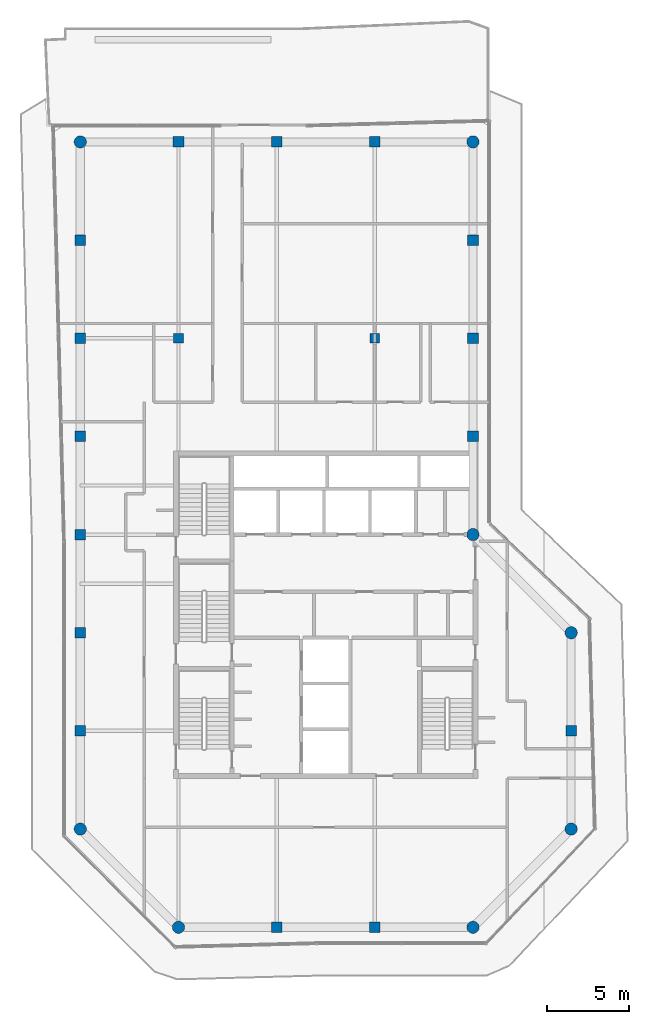
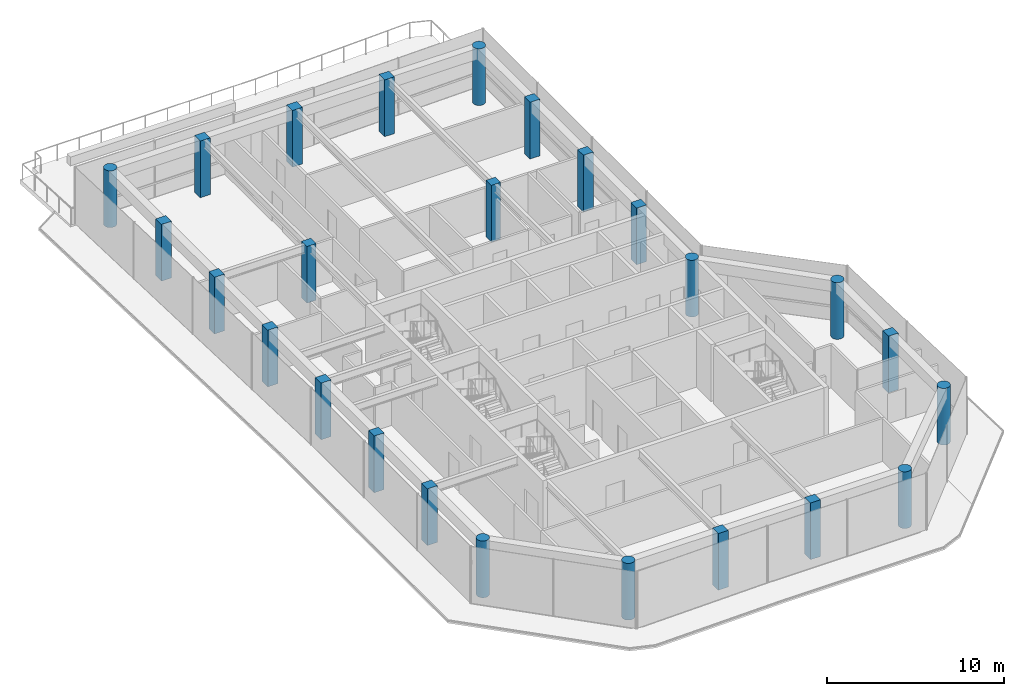
# One storey, part 1 of 20: 25 columns.
"""IFC4 building model written with IfcOpenShell, lengths in metres."""

from ifc_helpers import new_model, si_unit, direction, frame, origin, origin_2d, place, context, subcontext, project, spatial, rectangle, circle, extrude, material, material_profile, profile_set, type_object, element, save


model = new_model("IFC4")

# Units and contexts
model_context = context("Model", 3, precision=1e-05, world=origin(), true_north=direction((0.0, 1.0)))
body_context = subcontext(model_context, "Body", "Model", "MODEL_VIEW")
ifc_project = project(units=[si_unit("LENGTHUNIT", "METRE"), si_unit("AREAUNIT", "SQUARE_METRE"), si_unit("VOLUMEUNIT", "CUBIC_METRE"), si_unit("PLANEANGLEUNIT", "RADIAN"), si_unit("MASSUNIT", "GRAM", prefix="KILO")], contexts=[model_context])

# Site, building, storey
site_placement = place(None, origin())
site = spatial("IfcSite", under=ifc_project, at=site_placement, CompositionType="ELEMENT")
building_placement = place(site_placement, origin())
building = spatial("IfcBuilding", under=site, at=building_placement, Name="Welwitschia Terrace Campus", CompositionType="ELEMENT")
storey_placement = place(building_placement, frame((0.0, 0.0, 327.199951171875)))
storey = spatial("IfcBuildingStorey", under=building, at=storey_placement, Name="L73", CompositionType="ELEMENT", Elevation=327.199951171875)

# Columns
ifc_material_1 = material(Name="Concrete C40/50", Category="concrete")
ifc_material_profile_1 = material_profile(ifc_material_1, circle(Radius=0.375, at=origin_2d()))
ifc_profile_set_1 = profile_set([ifc_material_profile_1], Name="Concrete C40/50")
column_type_1 = type_object("IfcColumnType", Name="Corner column 750 dia", PredefinedType="COLUMN", material=ifc_profile_set_1)
for number, where, z_axis, x_axis, name in (
    (1, (0.0, 2.0, 0.0), (0.0, 0.0, 1.0), (1.0, 0.0, 0.0), "Column C44"),
    (2, (0.0, 44.0, 0.0), (0.0, 0.0, 1.0), (1.0, 0.0, 0.0), "Column C44"),
    (3, (6.0, -4.0, 0.0), (0.0, 0.0, 1.0), (1.0, 0.0, 0.0), "Column C44"),
    (4, (24.0, -4.0, 0.0), (0.0, 0.0, 1.0), (1.0, 0.0, 0.0), "Column C44"),
    (5, (24.0, 20.0, 0.0), (0.0, 0.0, 1.0), (1.0, 0.0, 0.0), "Column C44"),
    (6, (24.0, 44.0, 0.0), (0.0, 0.0, 1.0), (1.0, 0.0, 0.0), "Column C44"),
    (7, (30.0, 2.0, 0.0), (0.0, 0.0, 1.0), (1.0, 0.0, 0.0), "Column C44"),
    (8, (30.0, 14.0, 0.0), (0.0, 0.0, 1.0), (1.0, 0.0, 0.0), "Column C44"),
):
    element("IfcColumn", number, at=place(storey_placement, frame(where, z_axis=z_axis, x_axis=x_axis)), inside=storey, type_object=column_type_1, Name=name, PredefinedType="COLUMN", context=body_context, shape_type="SweptSolid", body=[
        extrude(circle(Radius=0.375, at=origin_2d()), origin(), (0.0, 0.0, 1.0), 3.900146484375),
    ])
ifc_material_2 = material(Name="Concrete C40/50", Category="concrete")
ifc_material_profile_2 = material_profile(ifc_material_2, rectangle(XDim=0.60009765625, YDim=0.60009765625, at=origin_2d()))
ifc_profile_set_2 = profile_set([ifc_material_profile_2], Name="Concrete C40/50")
column_type_2 = type_object("IfcColumnType", Name="Interior column 600x600", PredefinedType="COLUMN", material=ifc_profile_set_2)
for number, where, z_axis, x_axis, name in (
    (9, (6.0, 32.0, 0.0), (0.0, 0.0, 1.0), (1.0, 0.0, 0.0), "Column C46"),
    (10, (18.0, 32.0, 0.0), (0.0, 0.0, 1.0), (1.0, 0.0, 0.0), "Column C46"),
):
    element("IfcColumn", number, at=place(storey_placement, frame(where, z_axis=z_axis, x_axis=x_axis)), inside=storey, type_object=column_type_2, Name=name, PredefinedType="COLUMN", context=body_context, shape_type="SweptSolid", body=[
        extrude(rectangle(XDim=0.60009765625, YDim=0.60009765625, at=origin_2d()), origin(), (0.0, 0.0, 1.0), 3.900146484375),
    ])
ifc_material_3 = material(Name="Concrete C40/50", Category="concrete")
ifc_material_profile_3 = material_profile(ifc_material_3, rectangle(XDim=0.64990234375, YDim=0.64990234375, at=origin_2d()))
ifc_profile_set_3 = profile_set([ifc_material_profile_3], Name="Concrete C40/50")
column_type_3 = type_object("IfcColumnType", Name="Ring column 650x650", PredefinedType="COLUMN", material=ifc_profile_set_3)
for number, where, z_axis, x_axis, name in (
    (11, (0.0, 8.0, 0.0), (0.0, 0.0, 1.0), (1.0, 0.0, 0.0), "Column C45"),
    (12, (0.0, 14.0, 0.0), (0.0, 0.0, 1.0), (1.0, 0.0, 0.0), "Column C45"),
    (13, (0.0, 20.0, 0.0), (0.0, 0.0, 1.0), (1.0, 0.0, 0.0), "Column C45"),
    (14, (0.0, 26.0, 0.0), (0.0, 0.0, 1.0), (1.0, 0.0, 0.0), "Column C45"),
    (15, (0.0, 32.0, 0.0), (0.0, 0.0, 1.0), (1.0, 0.0, 0.0), "Column C45"),
    (16, (0.0, 38.0, 0.0), (0.0, 0.0, 1.0), (1.0, 0.0, 0.0), "Column C45"),
    (17, (6.0, 44.0, 0.0), (0.0, 0.0, 1.0), (1.0, 0.0, 0.0), "Column C45"),
    (18, (12.0, -4.0, 0.0), (0.0, 0.0, 1.0), (1.0, 0.0, 0.0), "Column C45"),
    (19, (12.0, 44.0, 0.0), (0.0, 0.0, 1.0), (1.0, 0.0, 0.0), "Column C45"),
    (20, (18.0, -4.0, 0.0), (0.0, 0.0, 1.0), (1.0, 0.0, 0.0), "Column C45"),
    (21, (18.0, 44.0, 0.0), (0.0, 0.0, 1.0), (1.0, 0.0, 0.0), "Column C45"),
    (22, (24.0, 26.0, 0.0), (0.0, 0.0, 1.0), (1.0, 0.0, 0.0), "Column C45"),
    (23, (24.0, 32.0, 0.0), (0.0, 0.0, 1.0), (1.0, 0.0, 0.0), "Column C45"),
    (24, (24.0, 38.0, 0.0), (0.0, 0.0, 1.0), (1.0, 0.0, 0.0), "Column C45"),
    (25, (30.0, 8.0, 0.0), (0.0, 0.0, 1.0), (1.0, 0.0, 0.0), "Column C45"),
):
    element("IfcColumn", number, at=place(storey_placement, frame(where, z_axis=z_axis, x_axis=x_axis)), inside=storey, type_object=column_type_3, Name=name, PredefinedType="COLUMN", context=body_context, shape_type="SweptSolid", body=[
        extrude(rectangle(XDim=0.64990234375, YDim=0.64990234375, at=origin_2d()), origin(), (0.0, 0.0, 1.0), 3.900146484375),
    ])

save(model, "model.ifc")
